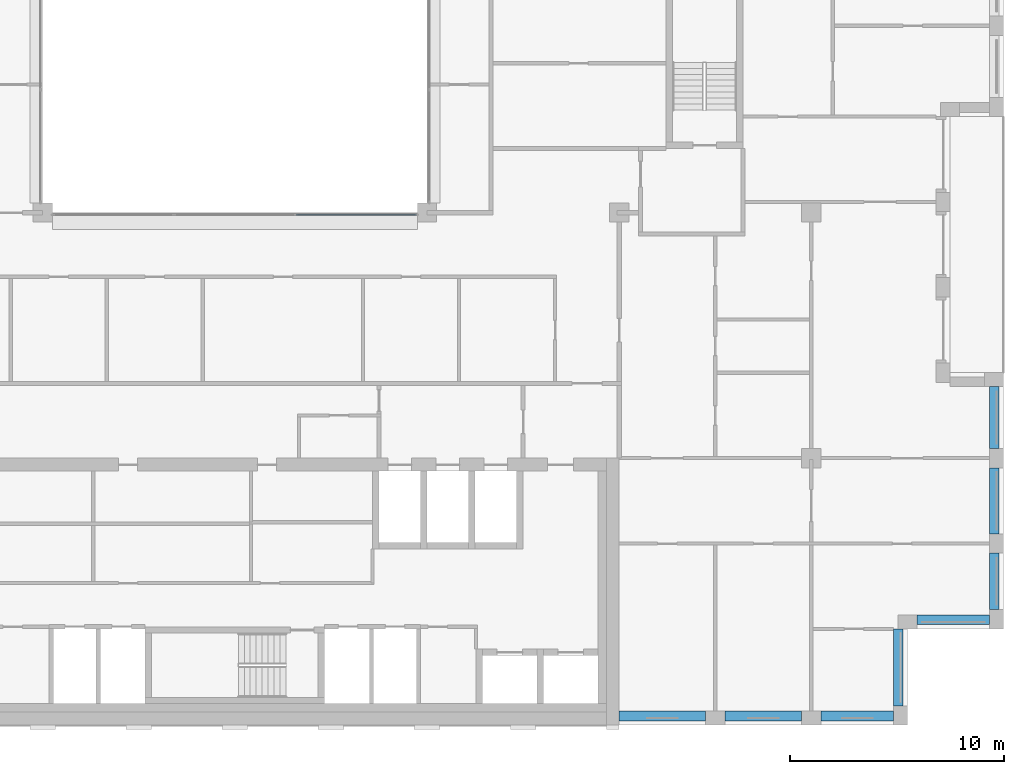
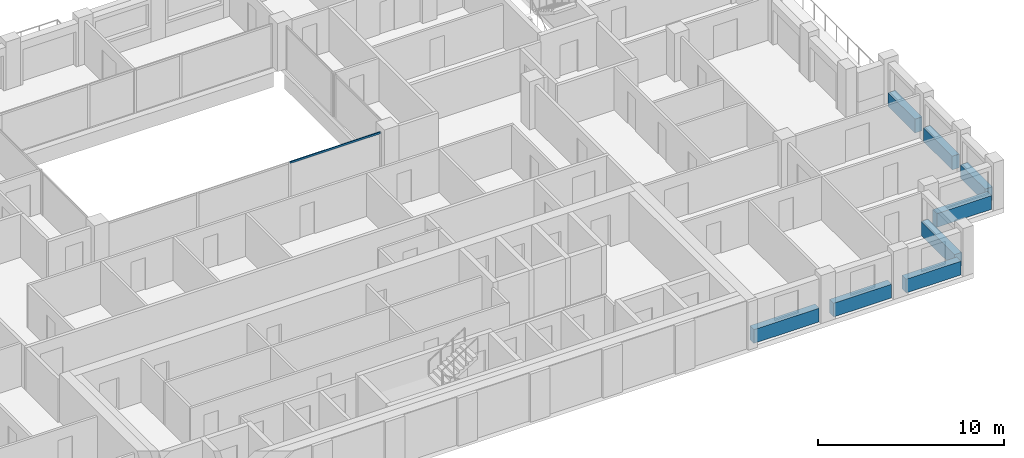
# One storey, part 3 of 15: 8 beams, 1 member, 1 element without a shape of its own.
"""IFC4 building model written with IfcOpenShell, lengths in metres."""

from ifc_helpers import new_model, si_unit, direction, frame, origin, origin_2d, place, context, subcontext, project, spatial, rectangle, extrude, material, layer, layer_set, material_profile, profile_set, type_object, element, aggregate, save


model = new_model("IFC4")

# Units and contexts
model_context = context("Model", 3, precision=1e-05, world=origin(), true_north=direction((0.0, 1.0)))
body_context = subcontext(model_context, "Body", "Model", "MODEL_VIEW")
ifc_project = project(units=[si_unit("LENGTHUNIT", "METRE"), si_unit("AREAUNIT", "SQUARE_METRE"), si_unit("VOLUMEUNIT", "CUBIC_METRE"), si_unit("PLANEANGLEUNIT", "RADIAN"), si_unit("MASSUNIT", "GRAM", prefix="KILO")], contexts=[model_context])

# Site, building, storey
site_placement = place(None, origin())
site = spatial("IfcSite", under=ifc_project, at=site_placement, CompositionType="ELEMENT")
building_placement = place(site_placement, origin())
building = spatial("IfcBuilding", under=site, at=building_placement, Name="Brigalow Station Residences", CompositionType="ELEMENT")
storey_placement = place(building_placement, frame((0.0, 0.0, 229.5)))
storey = spatial("IfcBuildingStorey", under=building, at=storey_placement, Name="L66", CompositionType="ELEMENT", Elevation=229.5)

# Curtain wall, member
ifc_material_1 = material(Name="Aluminium", Category="aluminium")
ifc_layer = layer(ifc_material_1, 0.14990234375)
ifc_layer_set = layer_set([ifc_layer], Name="ATRIUM FIRE-RATED GLAZING CURTAIN WALL")
curtain_wall_type = type_object("IfcCurtainWallType", Name="ATRIUM FIRE-RATED GLAZING CURTAIN WALL", PredefinedType="NOTDEFINED", material=ifc_layer_set)
curtain_wall_placement = place(storey_placement, origin())
curtain_wall = element("IfcCurtainWall", 1, at=curtain_wall_placement, inside=storey, type_object=curtain_wall_type, Name="L66/cw/atrium-S", PredefinedType="NOTDEFINED")
ifc_material_2 = material(Name="Aluminium", Category="aluminium")
ifc_material_profile_1 = material_profile(ifc_material_2, rectangle(XDim=0.06005859375, YDim=0.1201171875, at=origin_2d()), Name="ATRIUM FIRE-RATED GLAZING TRANSOM 60x120")
ifc_profile_set_1 = profile_set([ifc_material_profile_1], Name="Aluminium")
member_type = type_object("IfcMemberType", Name="ATRIUM FIRE-RATED GLAZING TRANSOM 60x120", PredefinedType="USERDEFINED", material=ifc_profile_set_1)
member_placement = place(storey_placement, frame((38.8798828125, 23.89990234375, 2.800048828125), z_axis=(1.0, 0.0, 0.0), x_axis=(0.0, 1.0, 0.0)))
member = element("IfcMember", 2, at=member_placement, type_object=member_type, Name="L66/cw/atrium-S/T02-00", ObjectType="TRANSOM", PredefinedType="USERDEFINED", context=body_context, shape_type="SweptSolid", body=[
    extrude(rectangle(XDim=0.06005859375, YDim=0.1201171875, at=origin_2d()), origin(), (0.0, 0.0, 1.0), 5.610107421875),
])
aggregate(curtain_wall, [member])

# Beams
ifc_material_3 = material(Name="Concrete C50", Category="concrete")
ifc_material_profile_2 = material_profile(ifc_material_3, rectangle(XDim=0.449951171875, YDim=0.89990234375, at=origin_2d()), Name="RC450x900")
ifc_profile_set_2 = profile_set([ifc_material_profile_2], Name="Concrete C50")
beam_type = type_object("IfcBeamType", Name="SPANDREL BEAM 450x900 C50", PredefinedType="SPANDREL", material=ifc_profile_set_2)
beam_1_placement = place(storey_placement, frame((54.0, 0.425048828125, 0.449951171875), z_axis=(1.0, 0.0, 0.0), x_axis=(0.0, 1.0, 0.0)))
element("IfcBeam", 3, at=beam_1_placement, inside=storey, type_object=beam_type, Name="L66/spandrel/W-L66-3", PredefinedType="SPANDREL", context=body_context, shape_type="SweptSolid", body=[
    extrude(rectangle(XDim=0.449951171875, YDim=0.89990234375, at=origin_2d()), origin(), (0.0, 0.0, 1.0), 4.050048828125),
])
beam_2_placement = place(storey_placement, frame((58.949951171875, 0.425048828125, 0.449951171875), z_axis=(1.0, 0.0, 0.0), x_axis=(0.0, 1.0, 0.0)))
element("IfcBeam", 4, at=beam_2_placement, inside=storey, type_object=beam_type, Name="L66/spandrel/W-L66-4", PredefinedType="SPANDREL", context=body_context, shape_type="SweptSolid", body=[
    extrude(rectangle(XDim=0.449951171875, YDim=0.89990234375, at=origin_2d()), origin(), (0.0, 0.0, 1.0), 3.60009765625),
])
beam_3_placement = place(storey_placement, frame((63.449951171875, 0.425048828125, 0.449951171875), z_axis=(1.0, 0.0, 0.0), x_axis=(0.0, 1.0, 0.0)))
element("IfcBeam", 5, at=beam_3_placement, inside=storey, type_object=beam_type, Name="L66/spandrel/W-L66-5", PredefinedType="SPANDREL", context=body_context, shape_type="SweptSolid", body=[
    extrude(rectangle(XDim=0.449951171875, YDim=0.89990234375, at=origin_2d()), origin(), (0.0, 0.0, 1.0), 3.400146484375),
])
beam_4_placement = place(storey_placement, frame((67.074951171875, 0.89990234375, 0.449951171875), z_axis=(0.0, 1.0, 0.0), x_axis=(-1.0, 0.0, 0.0)))
element("IfcBeam", 6, at=beam_4_placement, inside=storey, type_object=beam_type, Name="L66/spandrel/W-L66-6", PredefinedType="SPANDREL", context=body_context, shape_type="SweptSolid", body=[
    extrude(rectangle(XDim=0.449951171875, YDim=0.89990234375, at=origin_2d()), origin(), (0.0, 0.0, 1.0), 3.60009765625),
])
beam_5_placement = place(storey_placement, frame((67.949951171875, 4.925048828125, 0.449951171875), z_axis=(1.0, 0.0, 0.0), x_axis=(0.0, 1.0, 0.0)))
element("IfcBeam", 7, at=beam_5_placement, inside=storey, type_object=beam_type, Name="L66/spandrel/W-L66-7", PredefinedType="SPANDREL", context=body_context, shape_type="SweptSolid", body=[
    extrude(rectangle(XDim=0.449951171875, YDim=0.89990234375, at=origin_2d()), origin(), (0.0, 0.0, 1.0), 3.400146484375),
])
beam_6_placement = place(storey_placement, frame((71.574951171875, 5.39990234375, 0.449951171875), z_axis=(0.0, 1.0, 0.0), x_axis=(-1.0, 0.0, 0.0)))
element("IfcBeam", 8, at=beam_6_placement, inside=storey, type_object=beam_type, Name="L66/spandrel/W-L66-8", PredefinedType="SPANDREL", context=body_context, shape_type="SweptSolid", body=[
    extrude(rectangle(XDim=0.449951171875, YDim=0.89990234375, at=origin_2d()), origin(), (0.0, 0.0, 1.0), 2.650146484375),
])
beam_7_placement = place(storey_placement, frame((71.574951171875, 8.949951171875, 0.449951171875), z_axis=(0.0, 1.0, 0.0), x_axis=(-1.0, 0.0, 0.0)))
element("IfcBeam", 9, at=beam_7_placement, inside=storey, type_object=beam_type, Name="L66/spandrel/W-L66-9", PredefinedType="SPANDREL", context=body_context, shape_type="SweptSolid", body=[
    extrude(rectangle(XDim=0.449951171875, YDim=0.89990234375, at=origin_2d()), origin(), (0.0, 0.0, 1.0), 3.10009765625),
])
beam_8_placement = place(storey_placement, frame((71.574951171875, 12.949951171875, 0.449951171875), z_axis=(0.0, 1.0, 0.0), x_axis=(-1.0, 0.0, 0.0)))
element("IfcBeam", 10, at=beam_8_placement, inside=storey, type_object=beam_type, Name="L66/spandrel/W-L66-10", PredefinedType="SPANDREL", context=body_context, shape_type="SweptSolid", body=[
    extrude(rectangle(XDim=0.449951171875, YDim=0.89990234375, at=origin_2d()), origin(), (0.0, 0.0, 1.0), 2.900146484375),
])

save(model, "model.ifc")
